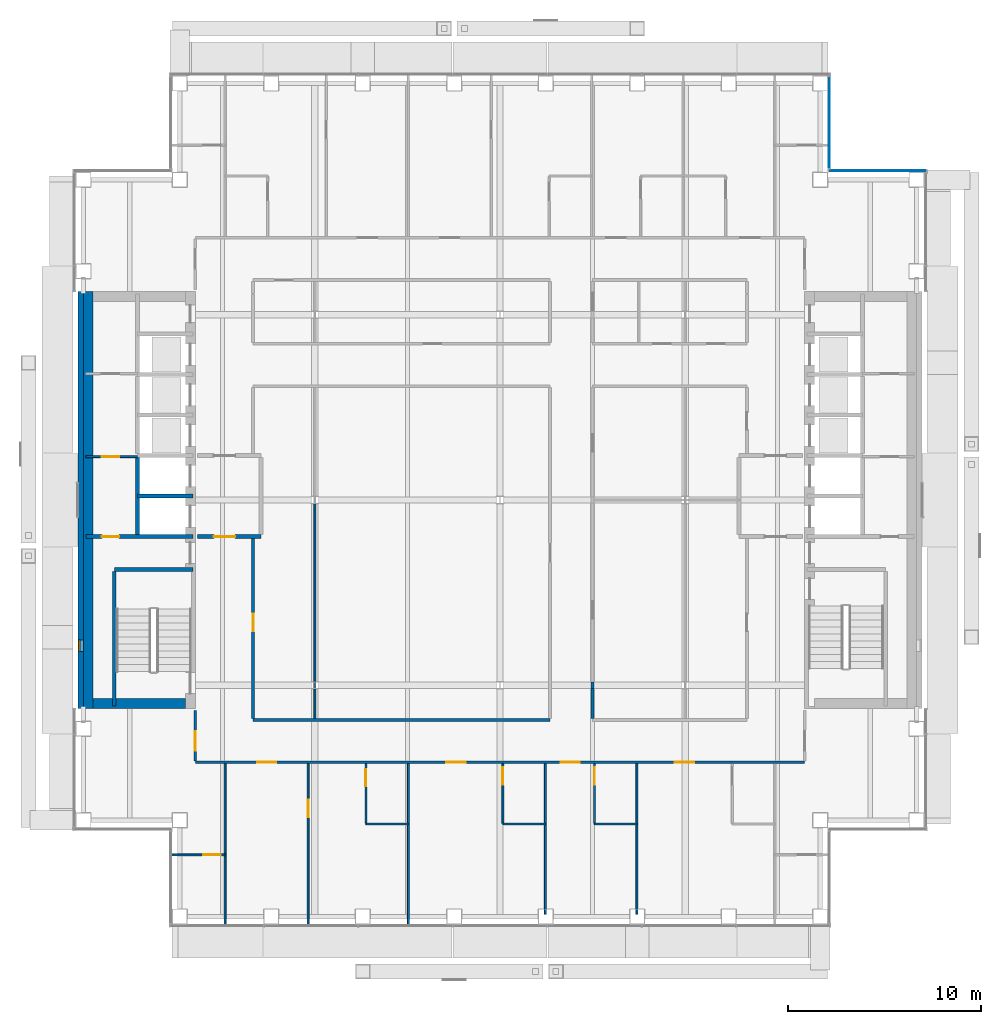
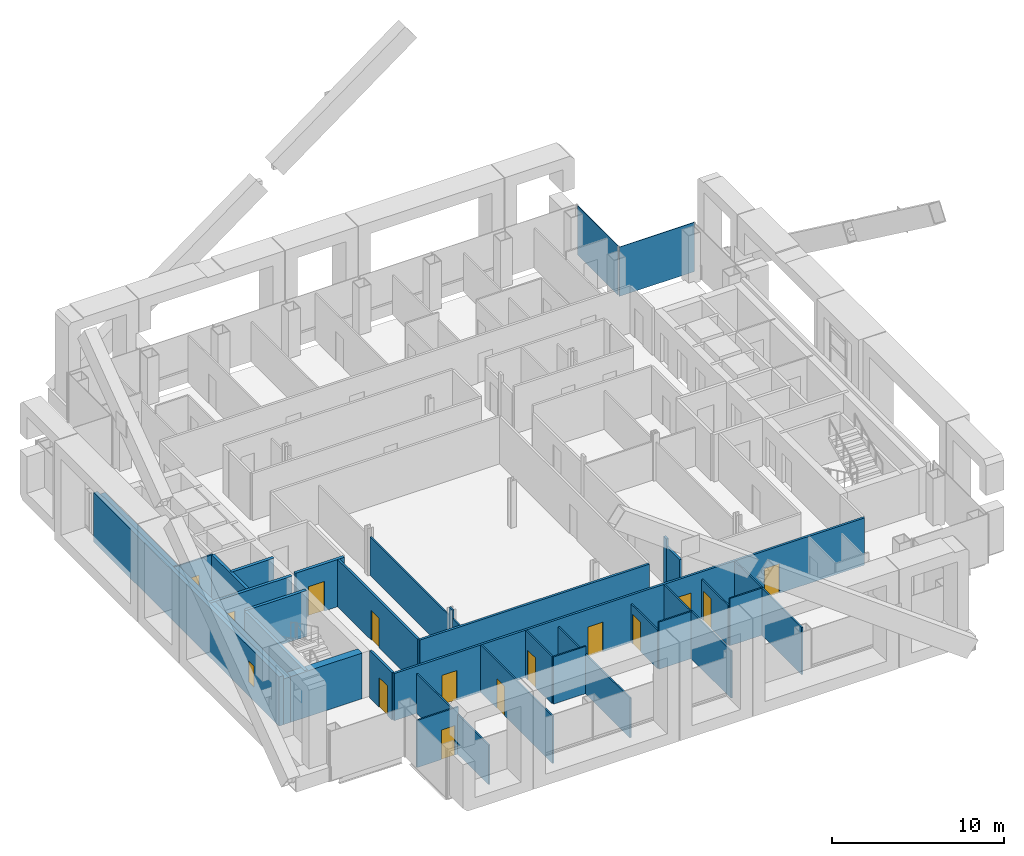
# One storey, part 12 of 22: 31 walls, 14 doors, 2 plates, 1 window, 15 openings, 2 elements without a shape of their own.
"""IFC4 building model written with IfcOpenShell, lengths in metres."""

from ifc_helpers import new_model, si_unit, direction, frame, frame_2d, origin, origin_2d, place, context, subcontext, project, spatial, rectangle, extrude, material, layer, layer_set, type_object, element, fill, aggregate, save


model = new_model("IFC4")

# Units and contexts
model_context = context("Model", 3, precision=1e-05, world=origin(), true_north=direction((0.0, 1.0)))
body_context = subcontext(model_context, "Body", "Model", "MODEL_VIEW")
ifc_project = project(units=[si_unit("LENGTHUNIT", "METRE"), si_unit("AREAUNIT", "SQUARE_METRE"), si_unit("VOLUMEUNIT", "CUBIC_METRE"), si_unit("PLANEANGLEUNIT", "RADIAN"), si_unit("MASSUNIT", "GRAM", prefix="KILO")], contexts=[model_context])

# Site, building, storey
site_placement = place(None, origin())
site = spatial("IfcSite", under=ifc_project, at=site_placement, CompositionType="ELEMENT")
building_placement = place(site_placement, origin())
building = spatial("IfcBuilding", under=site, at=building_placement, Name="Cobrizo Arcos Hotel Tower", CompositionType="ELEMENT")
storey_placement = place(building_placement, frame((0.0, 0.0, 162.0)))
storey = spatial("IfcBuildingStorey", under=building, at=storey_placement, Name="L41", CompositionType="ELEMENT", Elevation=162.0)

# Curtain wall, plate
ifc_material_1 = material(Name="Aluminium 6063-T6 anodised bronze", Category="aluminium")
curtain_wall_type = type_object("IfcCurtainWallType", Name="CW-A guest facade", PredefinedType="NOTDEFINED", material=ifc_material_1)
curtain_wall_1_placement = place(storey_placement, origin())
curtain_wall_1 = element("IfcCurtainWall", 1, at=curtain_wall_1_placement, inside=storey, type_object=curtain_wall_type, Name="CW-A L41 N face", PredefinedType="NOTDEFINED")
ifc_material_2 = material(Name="Aluminium composite panel pale metal", Category="aluminium")
ifc_layer_1 = layer(ifc_material_2, 0.0400390625)
ifc_layer_set_1 = layer_set([ifc_layer_1], Name="CW-A spandrel panel")
plate_type = type_object("IfcPlateType", Name="CW-A spandrel panel", PredefinedType="CURTAIN_PANEL", material=ifc_layer_set_1)
plate_1_placement = place(storey_placement, frame((19.574951171875, 17.074951171875, 0.0), z_axis=(0.0, 0.0, 1.0), x_axis=(-1.0, 0.0, 0.0)))
plate_1 = element("IfcPlate", 2, at=plate_1_placement, type_object=plate_type, Name="CW-A spandrel panel 1469", PredefinedType="CURTAIN_PANEL", context=body_context, shape_type="SweptSolid", body=[
    extrude(rectangle(XDim=5.030029296875, YDim=0.0400390625, at=origin_2d()), origin(), (0.0, 0.0, 1.0), 3.5),
])
aggregate(curtain_wall_1, [plate_1])

curtain_wall_2_placement = place(storey_placement, origin())
curtain_wall_2 = element("IfcCurtainWall", 3, at=curtain_wall_2_placement, inside=storey, type_object=curtain_wall_type, Name="CW-A L41 E face", PredefinedType="NOTDEFINED")
plate_2_placement = place(storey_placement, frame((17.074951171875, 19.574951171875, 0.0), z_axis=(0.0, 0.0, 1.0), x_axis=(0.0, 1.0, 0.0)))
plate_2 = element("IfcPlate", 4, at=plate_2_placement, type_object=plate_type, Name="CW-A spandrel panel 1470", PredefinedType="CURTAIN_PANEL", context=body_context, shape_type="SweptSolid", body=[
    extrude(rectangle(XDim=4.72998046875, YDim=0.0400390625, at=origin_2d()), origin(), (0.0, 0.0, 1.0), 3.5),
])
aggregate(curtain_wall_2, [plate_2])

# Wall, openings, doors
ifc_material_3 = material(Name="Gypsum board partition")
ifc_layer_2 = layer(ifc_material_3, 0.14990234375)
ifc_layer_set_2 = layer_set([ifc_layer_2], Name="Corridor wall EI 60 150")
wall_type_1 = type_object("IfcWallType", Name="Corridor wall EI 60 150", PredefinedType="PARTITIONING", material=ifc_layer_set_2)
wall_1_placement = place(storey_placement, frame((-15.800048828125, -13.60009765625, 0.0), z_axis=(0.0, 0.0, 1.0), x_axis=(1.0, 0.0, 0.0)))
wall_1 = element("IfcWall", 5, at=wall_1_placement, inside=storey, type_object=wall_type_1, Name="Partition 007", PredefinedType="PARTITIONING", context=body_context, shape_type="SweptSolid", body=[
    extrude(rectangle(XDim=31.60009765625, YDim=0.14990234375, at=frame_2d((15.800048828125, 0.0))), origin(), (0.0, 0.0, 1.0), 3.35009765625),
])
opening_1_placement = place(wall_1_placement, frame((3.2060546875, 0.0, 0.0)))
opening_1 = element("IfcOpeningElement", 6, at=opening_1_placement, cuts=wall_1, Name="Opening GD-05", PredefinedType="OPENING", context=body_context, shape_type="SweptSolid", body=[
    extrude(rectangle(XDim=1.0, YDim=2.10009765625, at=frame_2d((0.5, 1.050048828125))), frame((0.0, 0.0869140625, 0.0), z_axis=(0.0, -1.0, 0.0), x_axis=(1.0, 0.0, 0.0)), (0.0, 0.0, 1.0), 0.173828125),
])
opening_2_placement = place(wall_1_placement, frame((13.013916015625, 0.0, 0.0)))
opening_2 = element("IfcOpeningElement", 7, at=opening_2_placement, cuts=wall_1, Name="Opening GD-06", PredefinedType="OPENING", context=body_context, shape_type="SweptSolid", body=[
    extrude(rectangle(XDim=1.0, YDim=2.10009765625, at=frame_2d((0.5, 1.050048828125))), frame((0.0, 0.0869140625, 0.0), z_axis=(0.0, -1.0, 0.0), x_axis=(1.0, 0.0, 0.0)), (0.0, 0.0, 1.0), 0.173828125),
])
opening_3_placement = place(wall_1_placement, frame((18.943115234375, 0.0, 0.0)))
opening_3 = element("IfcOpeningElement", 8, at=opening_3_placement, cuts=wall_1, Name="Opening GD-07", PredefinedType="OPENING", context=body_context, shape_type="SweptSolid", body=[
    extrude(rectangle(XDim=1.0, YDim=2.10009765625, at=frame_2d((0.5, 1.050048828125))), frame((0.0, 0.0869140625, 0.0), z_axis=(0.0, -1.0, 0.0), x_axis=(1.0, 0.0, 0.0)), (0.0, 0.0, 1.0), 0.173828125),
])
opening_4_placement = place(wall_1_placement, frame((24.8720703125, 0.0, 0.0)))
opening_4 = element("IfcOpeningElement", 9, at=opening_4_placement, cuts=wall_1, Name="Opening GD-08", PredefinedType="OPENING", context=body_context, shape_type="SweptSolid", body=[
    extrude(rectangle(XDim=1.0, YDim=2.10009765625, at=frame_2d((0.5, 1.050048828125))), frame((0.0, 0.0869140625, 0.0), z_axis=(0.0, -1.0, 0.0), x_axis=(1.0, 0.0, 0.0)), (0.0, 0.0, 1.0), 0.173828125),
])
ifc_material_4 = material(Name="Timber door leaf", Category="wood")
door_type_1 = type_object("IfcDoorType", Name="Guest room door FD30S 1000x2100", OperationType="SINGLE_SWING_LEFT", PredefinedType="DOOR", material=ifc_material_4)
door_1_placement = place(opening_1_placement, origin())
door_1 = element("IfcDoor", 10, at=door_1_placement, inside=storey, type_object=door_type_1, Name="Door GD-05", OperationType="SINGLE_SWING_RIGHT", OverallHeight=2.10009765625, OverallWidth=1.0, PredefinedType="DOOR", context=body_context, shape_type="SweptSolid", body=[
    extrude(rectangle(XDim=1.0, YDim=2.10009765625, at=frame_2d((0.5, 1.050048828125))), frame((0.0, 0.02490234375, 0.0), z_axis=(0.0, -1.0, 0.0), x_axis=(1.0, 0.0, 0.0)), (0.0, 0.0, 1.0), 0.050048828125),
])
fill(opening_1, door_1)
door_2_placement = place(opening_2_placement, origin())
door_2 = element("IfcDoor", 11, at=door_2_placement, inside=storey, type_object=door_type_1, Name="Door GD-06", OperationType="SINGLE_SWING_LEFT", OverallHeight=2.10009765625, OverallWidth=1.0, PredefinedType="DOOR", context=body_context, shape_type="SweptSolid", body=[
    extrude(rectangle(XDim=1.0, YDim=2.10009765625, at=frame_2d((0.5, 1.050048828125))), frame((0.0, 0.02490234375, 0.0), z_axis=(0.0, -1.0, 0.0), x_axis=(1.0, 0.0, 0.0)), (0.0, 0.0, 1.0), 0.050048828125),
])
fill(opening_2, door_2)
door_3_placement = place(opening_3_placement, origin())
door_3 = element("IfcDoor", 12, at=door_3_placement, inside=storey, type_object=door_type_1, Name="Door GD-07", OperationType="SINGLE_SWING_RIGHT", OverallHeight=2.10009765625, OverallWidth=1.0, PredefinedType="DOOR", context=body_context, shape_type="SweptSolid", body=[
    extrude(rectangle(XDim=1.0, YDim=2.10009765625, at=frame_2d((0.5, 1.050048828125))), frame((0.0, 0.02490234375, 0.0), z_axis=(0.0, -1.0, 0.0), x_axis=(1.0, 0.0, 0.0)), (0.0, 0.0, 1.0), 0.050048828125),
])
fill(opening_3, door_3)
door_4_placement = place(opening_4_placement, origin())
door_4 = element("IfcDoor", 13, at=door_4_placement, inside=storey, type_object=door_type_1, Name="Door GD-08", OperationType="SINGLE_SWING_LEFT", OverallHeight=2.10009765625, OverallWidth=1.0, PredefinedType="DOOR", context=body_context, shape_type="SweptSolid", body=[
    extrude(rectangle(XDim=1.0, YDim=2.10009765625, at=frame_2d((0.5, 1.050048828125))), frame((0.0, 0.02490234375, 0.0), z_axis=(0.0, -1.0, 0.0), x_axis=(1.0, 0.0, 0.0)), (0.0, 0.0, 1.0), 0.050048828125),
])
fill(opening_4, door_4)

# Wall
wall_2_placement = place(storey_placement, frame((-12.800048828125, -11.39990234375, 0.0), z_axis=(0.0, 0.0, 1.0), x_axis=(1.0, 0.0, 0.0)))
element("IfcWall", 14, at=wall_2_placement, inside=storey, type_object=wall_type_1, Name="Partition 008", PredefinedType="PARTITIONING", context=body_context, shape_type="SweptSolid", body=[
    extrude(rectangle(XDim=15.400146484375, YDim=0.14990234375, at=frame_2d((7.7001953125, 0.0))), origin(), (0.0, 0.0, 1.0), 3.35009765625),
])

# Wall, opening, door
wall_3_placement = place(storey_placement, frame((-15.800048828125, -13.52490234375, 0.0), z_axis=(0.0, 0.0, 1.0), x_axis=(0.0, 1.0, 0.0)))
wall_3 = element("IfcWall", 15, at=wall_3_placement, inside=storey, type_object=wall_type_1, Name="Partition 052", PredefinedType="PARTITIONING", context=body_context, shape_type="SweptSolid", body=[
    extrude(rectangle(XDim=2.60498046875, YDim=0.14990234375, at=frame_2d((1.302490234375, 0.0))), origin(), (0.0, 0.0, 1.0), 3.35009765625),
])
opening_5_placement = place(wall_3_placement, frame((0.52490234375, 0.0, 0.0)))
opening_5 = element("IfcOpeningElement", 16, at=opening_5_placement, cuts=wall_3, Name="Opening GD-09", PredefinedType="OPENING", context=body_context, shape_type="SweptSolid", body=[
    extrude(rectangle(XDim=1.0, YDim=2.10009765625, at=frame_2d((0.5, 1.050048828125))), frame((0.0, 0.0869140625, 0.0), z_axis=(0.0, -1.0, 0.0), x_axis=(1.0, 0.0, 0.0)), (0.0, 0.0, 1.0), 0.173828125),
])
door_5_placement = place(opening_5_placement, origin())
door_5 = element("IfcDoor", 17, at=door_5_placement, inside=storey, type_object=door_type_1, Name="Door GD-09", OperationType="SINGLE_SWING_RIGHT", OverallHeight=2.10009765625, OverallWidth=1.0, PredefinedType="DOOR", context=body_context, shape_type="SweptSolid", body=[
    extrude(rectangle(XDim=1.0, YDim=2.10009765625, at=frame_2d((0.5, 1.050048828125))), frame((0.0, 0.02490234375, 0.0), z_axis=(0.0, -1.0, 0.0), x_axis=(1.0, 0.0, 0.0)), (0.0, 0.0, 1.0), 0.050048828125),
])
fill(opening_5, door_5)

wall_4_placement = place(storey_placement, frame((-12.800048828125, -11.324951171875, 0.0), z_axis=(0.0, 0.0, 1.0), x_axis=(0.0, 1.0, 0.0)))
wall_4 = element("IfcWall", 18, at=wall_4_placement, inside=storey, type_object=wall_type_1, Name="Partition 056", PredefinedType="PARTITIONING", context=body_context, shape_type="SweptSolid", body=[
    extrude(rectangle(XDim=9.324951171875, YDim=0.14990234375, at=frame_2d((4.66259765625, 0.0))), origin(), (0.0, 0.0, 1.0), 3.35009765625),
])
opening_6_placement = place(wall_4_placement, frame((4.52490234375, 0.0, 0.0)))
opening_6 = element("IfcOpeningElement", 19, at=opening_6_placement, cuts=wall_4, Name="Opening RD-17", PredefinedType="OPENING", context=body_context, shape_type="SweptSolid", body=[
    extrude(rectangle(XDim=0.89990234375, YDim=2.10009765625, at=frame_2d((0.449951171875, 1.050048828125))), frame((0.0, 0.0869140625, 0.0), z_axis=(0.0, -1.0, 0.0), x_axis=(1.0, 0.0, 0.0)), (0.0, 0.0, 1.0), 0.173828125),
])
door_type_2 = type_object("IfcDoorType", Name="Room door FD30 900x2100", OperationType="SINGLE_SWING_LEFT", PredefinedType="DOOR", material=ifc_material_4)
door_6_placement = place(opening_6_placement, origin())
door_6 = element("IfcDoor", 20, at=door_6_placement, inside=storey, type_object=door_type_2, Name="Door RD-17", OperationType="SINGLE_SWING_RIGHT", OverallHeight=2.10009765625, OverallWidth=0.89990234375, PredefinedType="DOOR", context=body_context, shape_type="SweptSolid", body=[
    extrude(rectangle(XDim=0.89990234375, YDim=2.10009765625, at=frame_2d((0.449951171875, 1.050048828125))), frame((0.0, 0.02490234375, 0.0), z_axis=(0.0, -1.0, 0.0), x_axis=(1.0, 0.0, 0.0)), (0.0, 0.0, 1.0), 0.050048828125),
])
fill(opening_6, door_6)

# Walls
wall_5_placement = place(storey_placement, frame((4.800048828125, -11.324951171875, 0.0), z_axis=(0.0, 0.0, 1.0), x_axis=(0.0, 1.0, 0.0)))
element("IfcWall", 21, at=wall_5_placement, inside=storey, type_object=wall_type_1, Name="Partition 082", PredefinedType="PARTITIONING", context=body_context, shape_type="SweptSolid", body=[
    extrude(rectangle(XDim=1.56103515625, YDim=0.14990234375, at=frame_2d((0.780517578125, 0.0))), origin(), (0.0, 0.0, 1.0), 2.81689453125),
])
wall_6_placement = place(storey_placement, frame((4.800048828125, -9.763916015625, 0.0), z_axis=(0.0, 0.0, 1.0), x_axis=(0.0, 1.0, 0.0)))
element("IfcWall", 22, at=wall_6_placement, inside=storey, type_object=wall_type_1, Name="Partition 083", PredefinedType="PARTITIONING", context=body_context, shape_type="SweptSolid", body=[
    extrude(rectangle(XDim=0.327880859375, YDim=0.14990234375, at=frame_2d((0.1640625, 0.0))), origin(), (0.0, 0.0, 1.0), 3.35009765625),
])

# Wall, opening, window
ifc_layer_3 = layer(ifc_material_2, 0.27490234375)
ifc_layer_set_3 = layer_set([ifc_layer_3], Name="EW-1 insulated panel wall 275")
wall_type_2 = type_object("IfcWallType", Name="EW-1 insulated panel wall 275", PredefinedType="SOLIDWALL", material=ifc_layer_set_3)
wall_7_placement = place(storey_placement, frame((-21.737548828125, 10.800048828125, 0.0), z_axis=(0.0, 0.0, 1.0), x_axis=(0.0, -1.0, 0.0)))
wall_7 = element("IfcWall", 23, at=wall_7_placement, inside=storey, type_object=wall_type_2, Name="Core face wall L41 W", PredefinedType="SOLIDWALL", context=body_context, shape_type="SweptSolid", body=[
    extrude(rectangle(XDim=21.60009765625, YDim=0.27490234375, at=frame_2d((10.800048828125, 0.0))), origin(), (0.0, 0.0, 1.0), 3.5),
])
opening_7_placement = place(wall_7_placement, frame((18.050048828125, 0.0, 1.0)))
opening_7 = element("IfcOpeningElement", 24, at=opening_7_placement, cuts=wall_7, Name="Opening W-90", PredefinedType="OPENING", context=body_context, shape_type="SweptSolid", body=[
    extrude(rectangle(XDim=0.60009765625, YDim=1.5, at=frame_2d((0.300048828125, 0.75))), frame((0.0, 0.1494140625, 0.0), z_axis=(0.0, -1.0, 0.0), x_axis=(1.0, 0.0, 0.0)), (0.0, 0.0, 1.0), 0.298828125),
])
ifc_material_5 = material(Name="Aluminium 6063-T6 and clear laminated glass", Category="aluminium")
window_type = type_object("IfcWindowType", Name="W-C1 core stair slot window 600x1500", PartitioningType="SINGLE_PANEL", PredefinedType="WINDOW", material=ifc_material_5)
window_placement = place(opening_7_placement, origin())
window = element("IfcWindow", 25, at=window_placement, inside=storey, type_object=window_type, Name="Core face wall L41 W window W-90", OverallHeight=1.5, OverallWidth=0.60009765625, PartitioningType="SINGLE_PANEL", PredefinedType="WINDOW", context=body_context, shape_type="SweptSolid", body=[
    extrude(rectangle(XDim=0.60009765625, YDim=1.5, at=frame_2d((0.300048828125, 0.75))), frame((0.0, -0.04736328125, 0.0), z_axis=(0.0, -1.0, 0.0), x_axis=(1.0, 0.0, 0.0)), (0.0, 0.0, 1.0), 0.06005859375),
])
fill(opening_7, window)

# Wall, opening, door
ifc_layer_4 = layer(ifc_material_3, 0.10009765625)
ifc_layer_set_4 = layer_set([ifc_layer_4], Name="Partition EI 30 100")
wall_type_3 = type_object("IfcWallType", Name="Partition EI 30 100", PredefinedType="PARTITIONING", material=ifc_layer_set_4)
wall_8_placement = place(storey_placement, frame((-17.030029296875, -18.39990234375, 0.0), z_axis=(0.0, 0.0, 1.0), x_axis=(1.0, 0.0, 0.0)))
wall_8 = element("IfcWall", 26, at=wall_8_placement, inside=storey, type_object=wall_type_3, Name="Partition 001", PredefinedType="PARTITIONING", context=body_context, shape_type="SweptSolid", body=[
    extrude(rectangle(XDim=2.780029296875, YDim=0.10009765625, at=frame_2d((1.39013671875, 0.0))), origin(), (0.0, 0.0, 1.0), 3.35009765625),
])
opening_8_placement = place(wall_8_placement, frame((1.639892578125, 0.0, 0.0)))
opening_8 = element("IfcOpeningElement", 27, at=opening_8_placement, cuts=wall_8, Name="Opening ED-10", PredefinedType="OPENING", context=body_context, shape_type="SweptSolid", body=[
    extrude(rectangle(XDim=0.89990234375, YDim=2.10009765625, at=frame_2d((0.449951171875, 1.050048828125))), frame((0.0, 0.06201171875, 0.0), z_axis=(0.0, -1.0, 0.0), x_axis=(1.0, 0.0, 0.0)), (0.0, 0.0, 1.0), 0.1240234375),
])
door_type_3 = type_object("IfcDoorType", Name="En-suite door 900x2100", OperationType="SINGLE_SWING_LEFT", PredefinedType="DOOR", material=ifc_material_4)
door_7_placement = place(opening_8_placement, origin())
door_7 = element("IfcDoor", 28, at=door_7_placement, inside=storey, type_object=door_type_3, Name="Door ED-10", OperationType="SINGLE_SWING_RIGHT", OverallHeight=2.10009765625, OverallWidth=0.89990234375, PredefinedType="DOOR", context=body_context, shape_type="SweptSolid", body=[
    extrude(rectangle(XDim=0.89990234375, YDim=2.10009765625, at=frame_2d((0.449951171875, 1.050048828125))), frame((0.0, 0.02490234375, 0.0), z_axis=(0.0, -1.0, 0.0), x_axis=(1.0, 0.0, 0.0)), (0.0, 0.0, 1.0), 0.050048828125),
])
fill(opening_8, door_7)

# Walls
wall_9_placement = place(storey_placement, frame((-6.949951171875, -16.800048828125, 0.0), z_axis=(0.0, 0.0, 1.0), x_axis=(1.0, 0.0, 0.0)))
element("IfcWall", 29, at=wall_9_placement, inside=storey, type_object=wall_type_3, Name="Partition 003", PredefinedType="PARTITIONING", context=body_context, shape_type="SweptSolid", body=[
    extrude(rectangle(XDim=2.199951171875, YDim=0.10009765625, at=frame_2d((1.10009765625, 0.0))), origin(), (0.0, 0.0, 1.0), 3.35009765625),
])
for number, where, z_axis, x_axis, name in (
    (30, (0.14990234375, -16.800048828125, 0.0), (0.0, 0.0, 1.0), (1.0, 0.0, 0.0), "Partition 004"),
    (31, (4.89990234375, -16.800048828125, 0.0), (0.0, 0.0, 1.0), (1.0, 0.0, 0.0), "Partition 005"),
):
    element("IfcWall", number, at=place(storey_placement, frame(where, z_axis=z_axis, x_axis=x_axis)), inside=storey, type_object=wall_type_3, Name=name, PredefinedType="PARTITIONING", context=body_context, shape_type="SweptSolid", body=[
        extrude(rectangle(XDim=2.2001953125, YDim=0.10009765625, at=frame_2d((1.10009765625, 0.0))), origin(), (0.0, 0.0, 1.0), 3.35009765625),
    ])

# Wall, opening, door
wall_10_placement = place(storey_placement, frame((-21.47998046875, 2.25, 0.0), z_axis=(0.0, 0.0, 1.0), x_axis=(1.0, 0.0, 0.0)))
wall_10 = element("IfcWall", 32, at=wall_10_placement, inside=storey, type_object=wall_type_3, Name="Partition 021", PredefinedType="PARTITIONING", context=body_context, shape_type="SweptSolid", body=[
    extrude(rectangle(XDim=2.679931640625, YDim=0.10009765625, at=frame_2d((1.33984375, 0.0))), origin(), (0.0, 0.0, 1.0), 3.25),
])
opening_9_placement = place(wall_10_placement, frame((0.830078125, 0.0, 0.0)))
opening_9 = element("IfcOpeningElement", 33, at=opening_9_placement, cuts=wall_10, Name="Opening RD-02", PredefinedType="OPENING", context=body_context, shape_type="SweptSolid", body=[
    extrude(rectangle(XDim=0.89990234375, YDim=2.10009765625, at=frame_2d((0.449951171875, 1.050048828125))), frame((0.0, 0.06201171875, 0.0), z_axis=(0.0, -1.0, 0.0), x_axis=(1.0, 0.0, 0.0)), (0.0, 0.0, 1.0), 0.1240234375),
])
door_8_placement = place(opening_9_placement, origin())
door_8 = element("IfcDoor", 34, at=door_8_placement, inside=storey, type_object=door_type_2, Name="Door RD-02", OperationType="SINGLE_SWING_RIGHT", OverallHeight=2.10009765625, OverallWidth=0.89990234375, PredefinedType="DOOR", context=body_context, shape_type="SweptSolid", body=[
    extrude(rectangle(XDim=0.89990234375, YDim=2.10009765625, at=frame_2d((0.449951171875, 1.050048828125))), frame((0.0, 0.02490234375, 0.0), z_axis=(0.0, -1.0, 0.0), x_axis=(1.0, 0.0, 0.0)), (0.0, 0.0, 1.0), 0.050048828125),
])
fill(opening_9, door_8)

# Wall
wall_11_placement = place(storey_placement, frame((-14.25, -22.030029296875, 0.0), z_axis=(0.0, 0.0, 1.0), x_axis=(0.0, 1.0, 0.0)))
element("IfcWall", 35, at=wall_11_placement, inside=storey, type_object=wall_type_3, Name="Partition 054", PredefinedType="PARTITIONING", context=body_context, shape_type="SweptSolid", body=[
    extrude(rectangle(XDim=8.35498046875, YDim=0.10009765625, at=frame_2d((4.177490234375, 0.0))), origin(), (0.0, 0.0, 1.0), 2.81689453125),
])

# Wall, opening, door
wall_12_placement = place(storey_placement, frame((-9.949951171875, -22.030029296875, 0.0), z_axis=(0.0, 0.0, 1.0), x_axis=(0.0, 1.0, 0.0)))
wall_12 = element("IfcWall", 36, at=wall_12_placement, inside=storey, type_object=wall_type_3, Name="Partition 062", PredefinedType="PARTITIONING", context=body_context, shape_type="SweptSolid", body=[
    extrude(rectangle(XDim=8.35498046875, YDim=0.10009765625, at=frame_2d((4.177490234375, 0.0))), origin(), (0.0, 0.0, 1.0), 3.35009765625),
])
opening_10_placement = place(wall_12_placement, frame((5.580078125, 0.0, 0.0)))
opening_10 = element("IfcOpeningElement", 37, at=opening_10_placement, cuts=wall_12, Name="Opening RD-10", PredefinedType="OPENING", context=body_context, shape_type="SweptSolid", body=[
    extrude(rectangle(XDim=0.89990234375, YDim=2.10009765625, at=frame_2d((0.449951171875, 1.050048828125))), frame((0.0, 0.06201171875, 0.0), z_axis=(0.0, -1.0, 0.0), x_axis=(1.0, 0.0, 0.0)), (0.0, 0.0, 1.0), 0.1240234375),
])
door_9_placement = place(opening_10_placement, origin())
door_9 = element("IfcDoor", 38, at=door_9_placement, inside=storey, type_object=door_type_2, Name="Door RD-10", OperationType="SINGLE_SWING_RIGHT", OverallHeight=2.10009765625, OverallWidth=0.89990234375, PredefinedType="DOOR", context=body_context, shape_type="SweptSolid", body=[
    extrude(rectangle(XDim=0.89990234375, YDim=2.10009765625, at=frame_2d((0.449951171875, 1.050048828125))), frame((0.0, 0.02490234375, 0.0), z_axis=(0.0, -1.0, 0.0), x_axis=(1.0, 0.0, 0.0)), (0.0, 0.0, 1.0), 0.050048828125),
])
fill(opening_10, door_9)

# Walls
wall_13_placement = place(storey_placement, frame((-9.60009765625, -11.324951171875, 0.0), z_axis=(0.0, 0.0, 1.0), x_axis=(0.0, 1.0, 0.0)))
element("IfcWall", 39, at=wall_13_placement, inside=storey, type_object=wall_type_3, Name="Partition 063", PredefinedType="PARTITIONING", context=body_context, shape_type="SweptSolid", body=[
    extrude(rectangle(XDim=1.537841796875, YDim=0.10009765625, at=frame_2d((0.76904296875, 0.0))), origin(), (0.0, 0.0, 1.0), 2.72802734375),
])
wall_14_placement = place(storey_placement, frame((-9.60009765625, -9.787109375, 0.0), z_axis=(0.0, 0.0, 1.0), x_axis=(0.0, 1.0, 0.0)))
element("IfcWall", 40, at=wall_14_placement, inside=storey, type_object=wall_type_3, Name="Partition 064", PredefinedType="PARTITIONING", context=body_context, shape_type="SweptSolid", body=[
    extrude(rectangle(XDim=0.3740234375, YDim=0.10009765625, at=frame_2d((0.18701171875, 0.0))), origin(), (0.0, 0.0, 1.0), 3.35009765625),
])
wall_15_placement = place(storey_placement, frame((-9.60009765625, -9.4130859375, 0.0), z_axis=(0.0, 0.0, 1.0), x_axis=(0.0, 1.0, 0.0)))
element("IfcWall", 41, at=wall_15_placement, inside=storey, type_object=wall_type_3, Name="Partition 065", PredefinedType="PARTITIONING", context=body_context, shape_type="SweptSolid", body=[
    extrude(rectangle(XDim=9.22607421875, YDim=0.10009765625, at=frame_2d((4.613037109375, 0.0))), origin(), (0.0, 0.0, 1.0), 2.72802734375),
])

# Wall, opening, door
wall_16_placement = place(storey_placement, frame((-6.949951171875, -16.75, 0.0), z_axis=(0.0, 0.0, 1.0), x_axis=(0.0, 1.0, 0.0)))
wall_16 = element("IfcWall", 42, at=wall_16_placement, inside=storey, type_object=wall_type_3, Name="Partition 072", PredefinedType="PARTITIONING", context=body_context, shape_type="SweptSolid", body=[
    extrude(rectangle(XDim=3.074951171875, YDim=0.10009765625, at=frame_2d((1.53759765625, 0.0))), origin(), (0.0, 0.0, 1.0), 3.35009765625),
])
opening_11_placement = place(wall_16_placement, frame((1.89990234375, 0.0, 0.0)))
opening_11 = element("IfcOpeningElement", 43, at=opening_11_placement, cuts=wall_16, Name="Opening ED-06", PredefinedType="OPENING", context=body_context, shape_type="SweptSolid", body=[
    extrude(rectangle(XDim=0.89990234375, YDim=2.10009765625, at=frame_2d((0.449951171875, 1.050048828125))), frame((0.0, 0.06201171875, 0.0), z_axis=(0.0, -1.0, 0.0), x_axis=(1.0, 0.0, 0.0)), (0.0, 0.0, 1.0), 0.1240234375),
])
door_10_placement = place(opening_11_placement, origin())
door_10 = element("IfcDoor", 44, at=door_10_placement, inside=storey, type_object=door_type_3, Name="Door ED-06", OperationType="SINGLE_SWING_RIGHT", OverallHeight=2.10009765625, OverallWidth=0.89990234375, PredefinedType="DOOR", context=body_context, shape_type="SweptSolid", body=[
    extrude(rectangle(XDim=0.89990234375, YDim=2.10009765625, at=frame_2d((0.449951171875, 1.050048828125))), frame((0.0, 0.02490234375, 0.0), z_axis=(0.0, -1.0, 0.0), x_axis=(1.0, 0.0, 0.0)), (0.0, 0.0, 1.0), 0.050048828125),
])
fill(opening_11, door_10)

# Wall
wall_17_placement = place(storey_placement, frame((-4.75, -22.030029296875, 0.0), z_axis=(0.0, 0.0, 1.0), x_axis=(0.0, 1.0, 0.0)))
element("IfcWall", 45, at=wall_17_placement, inside=storey, type_object=wall_type_3, Name="Partition 073", PredefinedType="PARTITIONING", context=body_context, shape_type="SweptSolid", body=[
    extrude(rectangle(XDim=8.35498046875, YDim=0.10009765625, at=frame_2d((4.177490234375, 0.0))), origin(), (0.0, 0.0, 1.0), 2.81689453125),
])

# Wall, opening, door
wall_18_placement = place(storey_placement, frame((0.14990234375, -16.75, 0.0), z_axis=(0.0, 0.0, 1.0), x_axis=(0.0, 1.0, 0.0)))
wall_18 = element("IfcWall", 46, at=wall_18_placement, inside=storey, type_object=wall_type_3, Name="Partition 076", PredefinedType="PARTITIONING", context=body_context, shape_type="SweptSolid", body=[
    extrude(rectangle(XDim=3.074951171875, YDim=0.10009765625, at=frame_2d((1.53759765625, 0.0))), origin(), (0.0, 0.0, 1.0), 2.72802734375),
])
opening_12_placement = place(wall_18_placement, frame((1.99609375, 0.0, 0.0)))
opening_12 = element("IfcOpeningElement", 47, at=opening_12_placement, cuts=wall_18, Name="Opening ED-07", PredefinedType="OPENING", context=body_context, shape_type="SweptSolid", body=[
    extrude(rectangle(XDim=0.89990234375, YDim=2.10009765625, at=frame_2d((0.449951171875, 1.050048828125))), frame((0.0, 0.06201171875, 0.0), z_axis=(0.0, -1.0, 0.0), x_axis=(1.0, 0.0, 0.0)), (0.0, 0.0, 1.0), 0.1240234375),
])
door_11_placement = place(opening_12_placement, origin())
door_11 = element("IfcDoor", 48, at=door_11_placement, inside=storey, type_object=door_type_3, Name="Door ED-07", OperationType="SINGLE_SWING_RIGHT", OverallHeight=2.10009765625, OverallWidth=0.89990234375, PredefinedType="DOOR", context=body_context, shape_type="SweptSolid", body=[
    extrude(rectangle(XDim=0.89990234375, YDim=2.10009765625, at=frame_2d((0.449951171875, 1.050048828125))), frame((0.0, 0.02490234375, 0.0), z_axis=(0.0, -1.0, 0.0), x_axis=(1.0, 0.0, 0.0)), (0.0, 0.0, 1.0), 0.050048828125),
])
fill(opening_12, door_11)

# Wall
wall_19_placement = place(storey_placement, frame((2.35009765625, -21.47998046875, 0.0), z_axis=(0.0, 0.0, 1.0), x_axis=(0.0, 1.0, 0.0)))
element("IfcWall", 49, at=wall_19_placement, inside=storey, type_object=wall_type_3, Name="Partition 077", PredefinedType="PARTITIONING", context=body_context, shape_type="SweptSolid", body=[
    extrude(rectangle(XDim=7.804931640625, YDim=0.10009765625, at=frame_2d((3.90234375, 0.0))), origin(), (0.0, 0.0, 1.0), 3.35009765625),
])

# Wall, opening, door
wall_20_placement = place(storey_placement, frame((4.89990234375, -16.75, 0.0), z_axis=(0.0, 0.0, 1.0), x_axis=(0.0, 1.0, 0.0)))
wall_20 = element("IfcWall", 50, at=wall_20_placement, inside=storey, type_object=wall_type_3, Name="Partition 090", PredefinedType="PARTITIONING", context=body_context, shape_type="SweptSolid", body=[
    extrude(rectangle(XDim=3.074951171875, YDim=0.10009765625, at=frame_2d((1.53759765625, 0.0))), origin(), (0.0, 0.0, 1.0), 2.81689453125),
])
opening_13_placement = place(wall_20_placement, frame((1.99609375, 0.0, 0.0)))
opening_13 = element("IfcOpeningElement", 51, at=opening_13_placement, cuts=wall_20, Name="Opening ED-08", PredefinedType="OPENING", context=body_context, shape_type="SweptSolid", body=[
    extrude(rectangle(XDim=0.89990234375, YDim=2.10009765625, at=frame_2d((0.449951171875, 1.050048828125))), frame((0.0, 0.06201171875, 0.0), z_axis=(0.0, -1.0, 0.0), x_axis=(1.0, 0.0, 0.0)), (0.0, 0.0, 1.0), 0.1240234375),
])
door_12_placement = place(opening_13_placement, origin())
door_12 = element("IfcDoor", 52, at=door_12_placement, inside=storey, type_object=door_type_3, Name="Door ED-08", OperationType="SINGLE_SWING_RIGHT", OverallHeight=2.10009765625, OverallWidth=0.89990234375, PredefinedType="DOOR", context=body_context, shape_type="SweptSolid", body=[
    extrude(rectangle(XDim=0.89990234375, YDim=2.10009765625, at=frame_2d((0.449951171875, 1.050048828125))), frame((0.0, 0.02490234375, 0.0), z_axis=(0.0, -1.0, 0.0), x_axis=(1.0, 0.0, 0.0)), (0.0, 0.0, 1.0), 0.050048828125),
])
fill(opening_13, door_12)

# Walls
wall_21_placement = place(storey_placement, frame((7.10009765625, -21.47998046875, 0.0), z_axis=(0.0, 0.0, 1.0), x_axis=(0.0, 1.0, 0.0)))
element("IfcWall", 53, at=wall_21_placement, inside=storey, type_object=wall_type_3, Name="Partition 091", PredefinedType="PARTITIONING", context=body_context, shape_type="SweptSolid", body=[
    extrude(rectangle(XDim=7.804931640625, YDim=0.10009765625, at=frame_2d((3.90234375, 0.0))), origin(), (0.0, 0.0, 1.0), 3.35009765625),
])
ifc_material_6 = material(Name="Concrete f'c 50 MPa", Category="concrete")
ifc_layer_5 = layer(ifc_material_6, 0.5)
ifc_layer_set_5 = layer_set([ifc_layer_5], Name="RC core wall 500 f'c 50")
wall_type_4 = type_object("IfcWallType", Name="RC core wall 500 f'c 50", PredefinedType="SHEAR", material=ifc_layer_set_5)
wall_22_placement = place(storey_placement, frame((-21.35009765625, -10.800048828125, 0.0), z_axis=(0.0, 0.0, 1.0), x_axis=(0.0, 1.0, 0.0)))
element("IfcWall", 54, at=wall_22_placement, inside=storey, type_object=wall_type_4, Name="Core wall CW3, west core, outer face, L41", PredefinedType="SHEAR", context=body_context, shape_type="SweptSolid", body=[
    extrude(rectangle(XDim=21.60009765625, YDim=0.5, at=frame_2d((10.800048828125, 0.0))), origin(), (0.0, 0.0, 1.0), 3.25),
])
wall_23_placement = place(storey_placement, frame((-21.10009765625, -10.550048828125, 0.0), z_axis=(0.0, 0.0, 1.0), x_axis=(1.0, 0.0, 0.0)))
element("IfcWall", 55, at=wall_23_placement, inside=storey, type_object=wall_type_4, Name="Core wall CW3, west core, south end, L41", PredefinedType="SHEAR", context=body_context, shape_type="SweptSolid", body=[
    extrude(rectangle(XDim=4.800048828125, YDim=0.5, at=frame_2d((2.39990234375, 0.0))), origin(), (0.0, 0.0, 1.0), 3.25),
])

# Wall, opening, door
ifc_layer_6 = layer(ifc_material_3, 0.199951171875)
ifc_layer_set_6 = layer_set([ifc_layer_6], Name="Shaft wall EI 120 200")
wall_type_5 = type_object("IfcWallType", Name="Shaft wall EI 120 200", PredefinedType="PARTITIONING", material=ifc_layer_set_6)
wall_24_placement = place(storey_placement, frame((-21.47998046875, -1.89990234375, 0.0), z_axis=(0.0, 0.0, 1.0), x_axis=(1.0, 0.0, 0.0)))
wall_24 = element("IfcWall", 56, at=wall_24_placement, inside=storey, type_object=wall_type_5, Name="Partition 012", PredefinedType="PARTITIONING", context=body_context, shape_type="SweptSolid", body=[
    extrude(rectangle(XDim=5.56005859375, YDim=0.199951171875, at=frame_2d((2.780029296875, 0.0))), origin(), (0.0, 0.0, 1.0), 3.25),
])
opening_14_placement = place(wall_24_placement, frame((0.830078125, 0.0, 0.0)))
opening_14 = element("IfcOpeningElement", 57, at=opening_14_placement, cuts=wall_24, Name="Opening RD-01", PredefinedType="OPENING", context=body_context, shape_type="SweptSolid", body=[
    extrude(rectangle(XDim=0.89990234375, YDim=2.10009765625, at=frame_2d((0.449951171875, 1.050048828125))), frame((0.0, 0.112060546875, 0.0), z_axis=(0.0, -1.0, 0.0), x_axis=(1.0, 0.0, 0.0)), (0.0, 0.0, 1.0), 0.223876953125),
])
door_13_placement = place(opening_14_placement, origin())
door_13 = element("IfcDoor", 58, at=door_13_placement, inside=storey, type_object=door_type_2, Name="Door RD-01", OperationType="SINGLE_SWING_LEFT", OverallHeight=2.10009765625, OverallWidth=0.89990234375, PredefinedType="DOOR", context=body_context, shape_type="SweptSolid", body=[
    extrude(rectangle(XDim=0.89990234375, YDim=2.10009765625, at=frame_2d((0.449951171875, 1.050048828125))), frame((0.0, 0.02490234375, 0.0), z_axis=(0.0, -1.0, 0.0), x_axis=(1.0, 0.0, 0.0)), (0.0, 0.0, 1.0), 0.050048828125),
])
fill(opening_14, door_13)

wall_25_placement = place(storey_placement, frame((-15.679931640625, -1.89990234375, 0.0), z_axis=(0.0, 0.0, 1.0), x_axis=(1.0, 0.0, 0.0)))
wall_25 = element("IfcWall", 59, at=wall_25_placement, inside=storey, type_object=wall_type_5, Name="Partition 013", PredefinedType="PARTITIONING", context=body_context, shape_type="SweptSolid", body=[
    extrude(rectangle(XDim=3.280029296875, YDim=0.199951171875, at=frame_2d((1.64013671875, 0.0))), origin(), (0.0, 0.0, 1.0), 3.35009765625),
])
opening_15_placement = place(wall_25_placement, frame((0.840087890625, 0.0, 0.0)))
opening_15 = element("IfcOpeningElement", 60, at=opening_15_placement, cuts=wall_25, Name="Opening FD-03", PredefinedType="OPENING", context=body_context, shape_type="SweptSolid", body=[
    extrude(rectangle(XDim=1.10009765625, YDim=2.10009765625, at=frame_2d((0.550048828125, 1.050048828125))), frame((0.0, 0.112060546875, 0.0), z_axis=(0.0, -1.0, 0.0), x_axis=(1.0, 0.0, 0.0)), (0.0, 0.0, 1.0), 0.223876953125),
])
ifc_material_7 = material(Name="Steel door leaf", Category="steel")
door_type_4 = type_object("IfcDoorType", Name="Fire door FD60 1100x2100", OperationType="SINGLE_SWING_LEFT", PredefinedType="DOOR", material=ifc_material_7)
door_14_placement = place(opening_15_placement, origin())
door_14 = element("IfcDoor", 61, at=door_14_placement, inside=storey, type_object=door_type_4, Name="Door FD-03", OperationType="SINGLE_SWING_LEFT", OverallHeight=2.10009765625, OverallWidth=1.10009765625, PredefinedType="DOOR", context=body_context, shape_type="SweptSolid", body=[
    extrude(rectangle(XDim=1.10009765625, YDim=2.10009765625, at=frame_2d((0.550048828125, 1.050048828125))), frame((0.0, 0.02490234375, 0.0), z_axis=(0.0, -1.0, 0.0), x_axis=(1.0, 0.0, 0.0)), (0.0, 0.0, 1.0), 0.050048828125),
])
fill(opening_15, door_14)

# Walls
wall_26_placement = place(storey_placement, frame((-18.800048828125, 0.199951171875, 0.0), z_axis=(0.0, 0.0, 1.0), x_axis=(1.0, 0.0, 0.0)))
element("IfcWall", 62, at=wall_26_placement, inside=storey, type_object=wall_type_5, Name="Partition 019", PredefinedType="PARTITIONING", context=body_context, shape_type="SweptSolid", body=[
    extrude(rectangle(XDim=2.880126953125, YDim=0.199951171875, at=frame_2d((1.43994140625, 0.0))), origin(), (0.0, 0.0, 1.0), 3.25),
])
wall_27_placement = place(storey_placement, frame((-18.800048828125, -1.800048828125, 0.0), z_axis=(0.0, 0.0, 1.0), x_axis=(0.0, 1.0, 0.0)))
element("IfcWall", 63, at=wall_27_placement, inside=storey, type_object=wall_type_5, Name="Partition 049", PredefinedType="PARTITIONING", context=body_context, shape_type="SweptSolid", body=[
    extrude(rectangle(XDim=4.0, YDim=0.199951171875, at=frame_2d((2.0, 0.0))), origin(), (0.0, 0.0, 1.0), 3.25),
])
ifc_material_8 = material(Name="Concrete f'c 40 MPa", Category="concrete")
ifc_layer_7 = layer(ifc_material_8, 0.199951171875)
ifc_layer_set_7 = layer_set([ifc_layer_7], Name="Stair shaft wall 200")
wall_type_6 = type_object("IfcWallType", Name="Stair shaft wall 200", PredefinedType="SHEAR", material=ifc_layer_set_7)
wall_28_placement = place(storey_placement, frame((-20.0, -3.60009765625, 0.0), z_axis=(0.0, 0.0, 1.0), x_axis=(1.0, 0.0, 0.0)))
element("IfcWall", 64, at=wall_28_placement, inside=storey, type_object=wall_type_6, Name="Stair shaft wall W", PredefinedType="SHEAR", context=body_context, shape_type="SweptSolid", body=[
    extrude(rectangle(XDim=4.080078125, YDim=0.199951171875, at=frame_2d((2.0400390625, 0.0))), origin(), (0.0, 0.0, 1.0), 3.25),
])
wall_29_placement = place(storey_placement, frame((-20.0, -10.679931640625, 0.0), z_axis=(0.0, 0.0, 1.0), x_axis=(0.0, 1.0, 0.0)))
element("IfcWall", 65, at=wall_29_placement, inside=storey, type_object=wall_type_6, Name="Stair shaft wall W", PredefinedType="SHEAR", context=body_context, shape_type="SweptSolid", body=[
    extrude(rectangle(XDim=6.97998046875, YDim=0.199951171875, at=frame_2d((3.489990234375, 0.0))), origin(), (0.0, 0.0, 1.0), 3.25),
])

save(model, "model.ifc")
